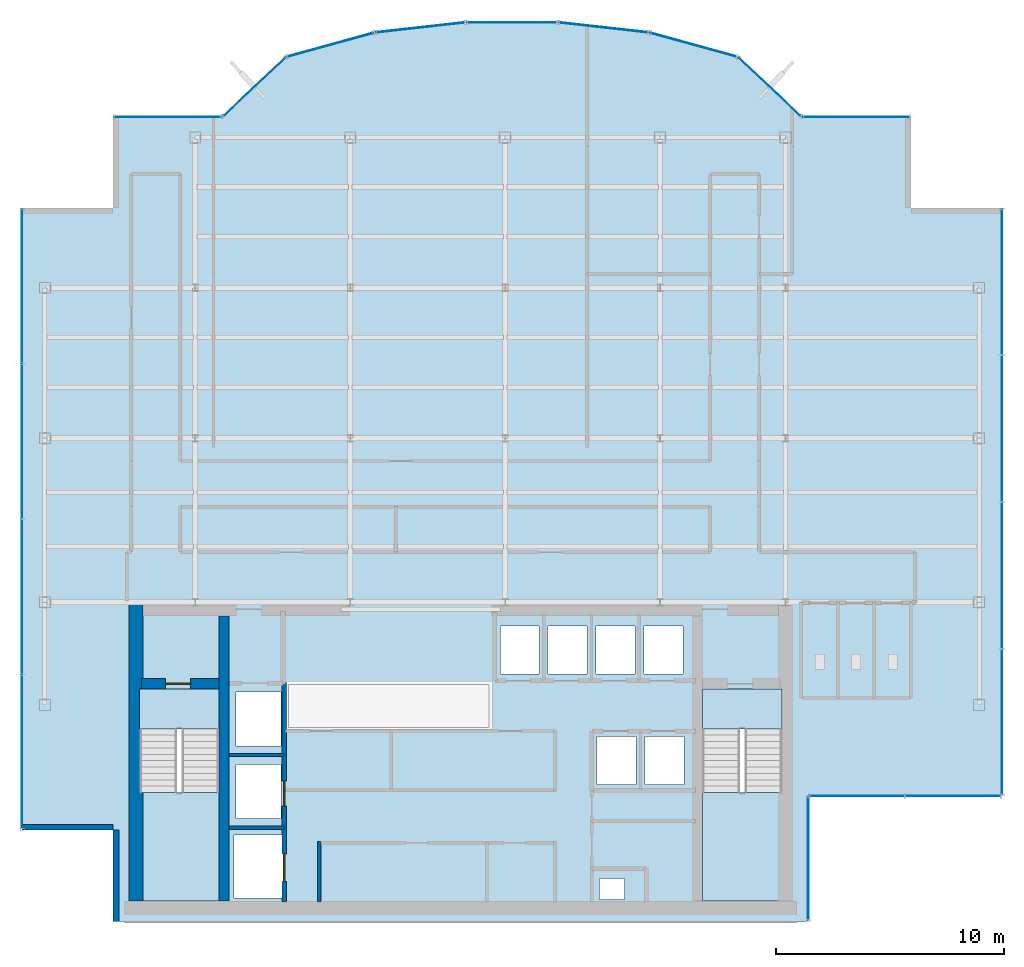
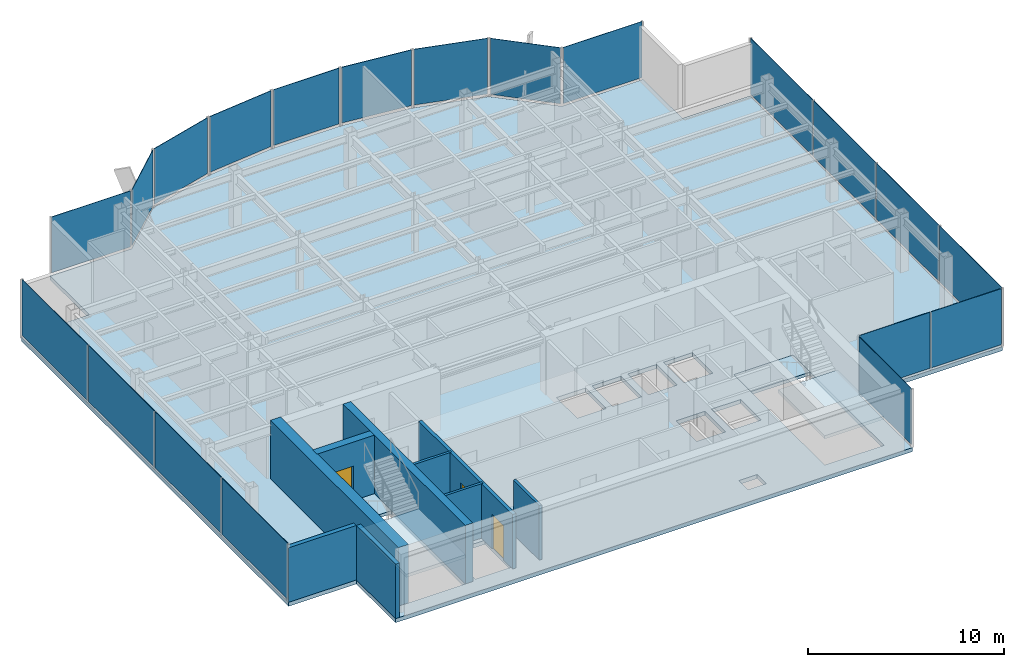
# One storey, part 16 of 22: 20 plates, 9 walls, 5 slabs, 3 doors, 3 openings, 15 elements without a shape of their own.
"""IFC4 building model written with IfcOpenShell, lengths in metres."""

from ifc_helpers import new_model, si_unit, derived_unit, direction, frame, frame_2d, origin, origin_2d, place, context, subcontext, project, spatial, polyline, rectangle, outline, extrude, source, transform, mapped, material, layer, layer_set, type_object, element, fill, aggregate, save


model = new_model("IFC4")

# Units and contexts
model_context = context("Model", 3, precision=1e-05, world=origin(), true_north=direction((0.0, 1.0)))
body_context = subcontext(model_context, "Body", "Model", "MODEL_VIEW")
ifc_project = project(units=[si_unit("LENGTHUNIT", "METRE"), si_unit("AREAUNIT", "SQUARE_METRE"), si_unit("VOLUMEUNIT", "CUBIC_METRE"), si_unit("PLANEANGLEUNIT", "RADIAN"), si_unit("MASSUNIT", "GRAM", prefix="KILO"), derived_unit("THERMALTRANSMITTANCEUNIT", [(si_unit("POWERUNIT", "WATT"), 1), (si_unit("LENGTHUNIT", "METRE"), -2), (si_unit("THERMODYNAMICTEMPERATUREUNIT", "KELVIN"), -1)])], contexts=[model_context])

# Site, building, storey
site_placement = place(None, origin())
site = spatial("IfcSite", under=ifc_project, at=site_placement, CompositionType="ELEMENT")
building_placement = place(site_placement, origin())
building = spatial("IfcBuilding", under=site, at=building_placement, Name="Skarnbrae Concourse Arena and Tower", CompositionType="ELEMENT")
storey_placement = place(building_placement, frame((0.0, 0.0, 262.449951171875)))
storey = spatial("IfcBuildingStorey", under=building, at=storey_placement, Name="L68", CompositionType="ELEMENT", Elevation=262.449951171875)

# Stair, slab
ifc_material_1 = material(Name="Concrete 40 MPa (C40/50)", Category="concrete")
stair_type = type_object("IfcStairType", Name="STAIR-DOGLEG-1650", PredefinedType="HALF_TURN_STAIR", material=ifc_material_1)
stair_1_placement = place(storey_placement, origin())
stair_1 = element("IfcStair", 1, at=stair_1_placement, inside=storey, type_object=stair_type, Name="L68 Protected Exit Stair ST-1", PredefinedType="HALF_TURN_STAIR")
ifc_layer_1 = layer(ifc_material_1, 0.199951171875)
ifc_layer_set_1 = layer_set([ifc_layer_1], Name="Concrete 40 MPa (C40/50)")
slab_type_1 = type_object("IfcSlabType", Name="SLAB-LANDING-200", PredefinedType="LANDING", material=ifc_layer_set_1)
slab_1_placement = place(storey_placement, frame((0.0, 0.0, 1.625)))
slab_1 = element("IfcSlab", 2, at=slab_1_placement, type_object=slab_type_1, Name="ST-1 landing 1", PredefinedType="LANDING", context=body_context, shape_type="SweptSolid", body=[
    extrude(outline(polyline([(5.14990234375, 5.64990234375), (5.14990234375, 0.89990234375), (8.64990234375, 0.89990234375), (8.64990234375, 5.64990234375), (5.14990234375, 5.64990234375)])), origin(), (0.0, 0.0, 1.0), 0.199951171875),
])
aggregate(stair_1, [slab_1])

stair_2_placement = place(storey_placement, origin())
stair_2 = element("IfcStair", 3, at=stair_2_placement, inside=storey, type_object=stair_type, Name="L68 Protected Exit Stair ST-2", PredefinedType="HALF_TURN_STAIR")
slab_2_placement = place(storey_placement, frame((0.0, 0.0, 1.625)))
slab_2 = element("IfcSlab", 4, at=slab_2_placement, type_object=slab_type_1, Name="ST-2 landing 1", PredefinedType="LANDING", context=body_context, shape_type="SweptSolid", body=[
    extrude(outline(polyline([(29.85009765625, 5.64990234375), (29.85009765625, 0.89990234375), (33.35009765625, 0.89990234375), (33.35009765625, 5.64990234375), (29.85009765625, 5.64990234375)])), origin(), (0.0, 0.0, 1.0), 0.199951171875),
])
aggregate(stair_2, [slab_2])

# Slabs
slab_3_placement = place(storey_placement, frame((0.0, 0.0, -0.199951171875)))
element("IfcSlab", 5, at=slab_3_placement, inside=storey, type_object=slab_type_1, Name="L68 Core stair ST1 floor landing", PredefinedType="LANDING", context=body_context, shape_type="SweptSolid", body=[
    extrude(outline(polyline([(5.14990234375, 10.199951171875), (5.14990234375, 8.449951171875), (8.64990234375, 8.449951171875), (8.64990234375, 10.199951171875), (5.14990234375, 10.199951171875)])), origin(), (0.0, 0.0, 1.0), 0.199951171875),
])
slab_4_placement = place(storey_placement, frame((0.0, 0.0, -0.199951171875)))
element("IfcSlab", 6, at=slab_4_placement, inside=storey, type_object=slab_type_1, Name="L68 Core stair ST2 floor landing", PredefinedType="LANDING", context=body_context, shape_type="SweptSolid", body=[
    extrude(outline(polyline([(29.85009765625, 10.199951171875), (29.85009765625, 8.449951171875), (33.35009765625, 8.449951171875), (33.35009765625, 10.199951171875), (29.85009765625, 10.199951171875)])), origin(), (0.0, 0.0, 1.0), 0.199951171875),
])
ifc_layer_2 = layer(ifc_material_1, 0.25)
ifc_layer_set_2 = layer_set([ifc_layer_2], Name="Concrete 40 MPa (C40/50)")
slab_type_2 = type_object("IfcSlabType", Name="SLAB-TOWER-250", PredefinedType="FLOOR", material=ifc_layer_set_2)
slab_5_placement = place(storey_placement, frame((0.0, 0.0, -0.25)))
element("IfcSlab", 7, at=slab_5_placement, inside=storey, type_object=slab_type_2, Name="L68 Structural floor slab", PredefinedType="FLOOR", context=body_context, shape_type="SweptSolid", body=[
    extrude(outline(polyline([(4.0, 0.0), (34.5, 0.0), (34.5, 5.5), (43.0, 5.5), (43.0, 31.300048828125), (39.0, 31.300048828125), (39.0, 35.300048828125), (34.199951171875, 35.300048828125), (31.40966796875, 37.9267578125), (27.52587890625, 38.9970703125), (23.51708984375, 39.44677734375), (19.48291015625, 39.44677734375), (15.47412109375, 38.9970703125), (11.59033203125, 37.9267578125), (8.800048828125, 35.300048828125), (4.0, 35.300048828125), (4.0, 31.300048828125), (0.0, 31.300048828125), (0.0, 4.0), (4.0, 4.0), (4.0, 0.0)]), holes=[polyline([(9.294921875, 1.02001953125), (9.294921875, 3.780029296875), (11.455078125, 3.780029296875), (11.455078125, 1.02001953125), (9.294921875, 1.02001953125)]), polyline([(8.64990234375, 10.199951171875), (8.64990234375, 0.89990234375), (5.14990234375, 0.89990234375), (5.14990234375, 10.199951171875), (8.64990234375, 10.199951171875)]), polyline([(9.39501953125, 6.8798828125), (11.35498046875, 6.8798828125), (11.35498046875, 4.52001953125), (9.39501953125, 4.52001953125), (9.39501953125, 6.8798828125)]), polyline([(9.39501953125, 7.695068359375), (9.39501953125, 10.054931640625), (11.35498046875, 10.054931640625), (11.35498046875, 7.695068359375), (9.39501953125, 7.695068359375)]), polyline([(20.985107421875, 12.955078125), (22.695068359375, 12.955078125), (22.695068359375, 10.844970703125), (20.985107421875, 10.844970703125), (20.985107421875, 12.955078125)]), polyline([(23.0849609375, 12.955078125), (24.794921875, 12.955078125), (24.794921875, 10.844970703125), (23.0849609375, 10.844970703125), (23.0849609375, 12.955078125)]), polyline([(25.35009765625, 0.949951171875), (25.35009765625, 1.889892578125), (26.43994140625, 1.889892578125), (26.43994140625, 0.949951171875), (25.35009765625, 0.949951171875)]), polyline([(33.35009765625, 10.199951171875), (33.35009765625, 0.89990234375), (29.85009765625, 0.89990234375), (29.85009765625, 10.199951171875), (33.35009765625, 10.199951171875)]), polyline([(25.235107421875, 8.10498046875), (26.945068359375, 8.10498046875), (26.945068359375, 5.9951171875), (25.235107421875, 5.9951171875), (25.235107421875, 8.10498046875)]), polyline([(27.3349609375, 5.9951171875), (27.3349609375, 8.10498046875), (29.044921875, 8.10498046875), (29.044921875, 5.9951171875), (27.3349609375, 5.9951171875)]), polyline([(25.18505859375, 12.955078125), (26.89501953125, 12.955078125), (26.89501953125, 10.844970703125), (25.18505859375, 10.844970703125), (25.18505859375, 12.955078125)]), polyline([(27.284912109375, 12.955078125), (28.9951171875, 12.955078125), (28.9951171875, 10.844970703125), (27.284912109375, 10.844970703125), (27.284912109375, 12.955078125)])]), origin(), (0.0, 0.0, 1.0), 0.25),
])

# Curtain wall, plate
ifc_material_2 = material(Name="Bronze anodised aluminium 6063-T6", Category="aluminium")
curtain_wall_type_1 = type_object("IfcCurtainWallType", Name="CW-SYS-05-HIGHZONE", PredefinedType="USERDEFINED", material=ifc_material_2)
curtain_wall_1_placement = place(storey_placement, origin())
curtain_wall_1 = element("IfcCurtainWall", 8, at=curtain_wall_1_placement, inside=storey, type_object=curtain_wall_type_1, Name="L68 Unitised curtain wall CW-L68-E02", ObjectType="UNITISED CURTAIN WALL", PredefinedType="USERDEFINED")
ifc_material_3 = material(Name="Low-E triple insulating glass", Category="glass")
ifc_layer_3 = layer(ifc_material_3, 0.030029296875)
ifc_layer_set_3 = layer_set([ifc_layer_3], Name="Low-E triple insulating glass")
plate_type_1 = type_object("IfcPlateType", Name="CWP-CW-05", PredefinedType="CURTAIN_PANEL", material=ifc_layer_set_3)
shared_shape_1 = source(origin(), body_context, "Body", "SweptSolid", [
    extrude(rectangle(XDim=5.35009765625, YDim=0.030029296875, at=origin_2d()), origin(), (0.0, 0.0, 1.0), 3.5),
])
plate_1_placement = place(storey_placement, frame((34.5, 2.75, 0.150146484375), z_axis=(0.0, 0.0, 1.0), x_axis=(0.0, 1.0, 0.0)))
plate_1 = element("IfcPlate", 9, at=plate_1_placement, type_object=plate_type_1, Name="CW-L68-E02 Low-E Glazing Panel 1", PredefinedType="CURTAIN_PANEL", context=body_context, shape_type="MappedRepresentation", body=[
    mapped(shared_shape_1, transform((0.0, 0.0, 0.0))),
])
aggregate(curtain_wall_1, [plate_1])

# Curtain wall, plates
curtain_wall_2_placement = place(storey_placement, origin())
curtain_wall_2 = element("IfcCurtainWall", 10, at=curtain_wall_2_placement, inside=storey, type_object=curtain_wall_type_1, Name="L68 Unitised curtain wall CW-L68-E03", ObjectType="UNITISED CURTAIN WALL", PredefinedType="USERDEFINED")
shared_shape_2 = source(origin(), body_context, "Body", "SweptSolid", [
    extrude(rectangle(XDim=4.137451171875, YDim=0.030029296875, at=origin_2d()), origin(), (0.0, 0.0, 1.0), 3.5),
])
plate_2_placement = place(storey_placement, frame((36.643798828125, 5.5, 0.150146484375), z_axis=(0.0, 0.0, 1.0), x_axis=(1.0, 0.0, 0.0)))
plate_2 = element("IfcPlate", 11, at=plate_2_placement, type_object=plate_type_1, Name="CW-L68-E03 Low-E Glazing Panel 1", PredefinedType="CURTAIN_PANEL", context=body_context, shape_type="MappedRepresentation", body=[
    mapped(shared_shape_2, transform((0.0, 0.0, 0.0))),
])
plate_3_placement = place(storey_placement, frame((40.856201171875, 5.5, 0.150146484375), z_axis=(0.0, 0.0, 1.0), x_axis=(1.0, 0.0, 0.0)))
plate_3 = element("IfcPlate", 12, at=plate_3_placement, type_object=plate_type_1, Name="CW-L68-E03 Low-E Glazing Panel 2", PredefinedType="CURTAIN_PANEL", context=body_context, shape_type="MappedRepresentation", body=[
    mapped(shared_shape_2, transform((0.0, 0.0, 0.0))),
])
aggregate(curtain_wall_2, [plate_2, plate_3])

# Curtain wall, plate
curtain_wall_3_placement = place(storey_placement, origin())
curtain_wall_3 = element("IfcCurtainWall", 13, at=curtain_wall_3_placement, inside=storey, type_object=curtain_wall_type_1, Name="L68 Unitised curtain wall CW-L68-E07", ObjectType="UNITISED CURTAIN WALL", PredefinedType="USERDEFINED")
shared_shape_3 = source(origin(), body_context, "Body", "SweptSolid", [
    extrude(rectangle(XDim=4.64990234375, YDim=0.030029296875, at=origin_2d()), origin(), (0.0, 0.0, 1.0), 3.5),
])
plate_4_placement = place(storey_placement, frame((36.60009765625, 35.300048828125, 0.150146484375), z_axis=(0.0, 0.0, 1.0), x_axis=(-1.0, 0.0, 0.0)))
plate_4 = element("IfcPlate", 14, at=plate_4_placement, type_object=plate_type_1, Name="CW-L68-E07 Low-E Glazing Panel 1", PredefinedType="CURTAIN_PANEL", context=body_context, shape_type="MappedRepresentation", body=[
    mapped(shared_shape_3, transform((0.0, 0.0, 0.0))),
])
aggregate(curtain_wall_3, [plate_4])

curtain_wall_4_placement = place(storey_placement, origin())
curtain_wall_4 = element("IfcCurtainWall", 15, at=curtain_wall_4_placement, inside=storey, type_object=curtain_wall_type_1, Name="L68 Unitised curtain wall CW-L68-E15", ObjectType="UNITISED CURTAIN WALL", PredefinedType="USERDEFINED")
plate_5_placement = place(storey_placement, frame((6.39990234375, 35.300048828125, 0.150146484375), z_axis=(0.0, 0.0, 1.0), x_axis=(-1.0, 0.0, 0.0)))
plate_5 = element("IfcPlate", 16, at=plate_5_placement, type_object=plate_type_1, Name="CW-L68-E15 Low-E Glazing Panel 1", PredefinedType="CURTAIN_PANEL", context=body_context, shape_type="MappedRepresentation", body=[
    mapped(shared_shape_3, transform((0.0, 0.0, 0.0))),
])
aggregate(curtain_wall_4, [plate_5])

curtain_wall_5_placement = place(storey_placement, origin())
curtain_wall_5 = element("IfcCurtainWall", 17, at=curtain_wall_5_placement, inside=storey, type_object=curtain_wall_type_1, Name="L68 Unitised curtain wall CW-L68-E08", ObjectType="UNITISED CURTAIN WALL", PredefinedType="USERDEFINED")
shared_shape_4 = source(origin(), body_context, "Body", "SweptSolid", [
    extrude(rectangle(XDim=3.68212890625, YDim=0.030029296875, at=origin_2d()), origin(), (0.0, 0.0, 1.0), 3.5),
])
plate_6_placement = place(storey_placement, frame((32.804931640625, 36.61328125, 0.150146484375), z_axis=(0.0, 0.0, 1.0), x_axis=(-0.728130555214, 0.685438468838, 0.0)))
plate_6 = element("IfcPlate", 18, at=plate_6_placement, type_object=plate_type_1, Name="CW-L68-E08 Low-E Glazing Panel 1", PredefinedType="CURTAIN_PANEL", context=body_context, shape_type="MappedRepresentation", body=[
    mapped(shared_shape_4, transform((0.0, 0.0, 0.0))),
])
aggregate(curtain_wall_5, [plate_6])

curtain_wall_6_placement = place(storey_placement, origin())
curtain_wall_6 = element("IfcCurtainWall", 19, at=curtain_wall_6_placement, inside=storey, type_object=curtain_wall_type_1, Name="L68 Unitised curtain wall CW-L68-E14", ObjectType="UNITISED CURTAIN WALL", PredefinedType="USERDEFINED")
plate_7_placement = place(storey_placement, frame((10.195068359375, 36.61328125, 0.150146484375), z_axis=(0.0, 0.0, 1.0), x_axis=(-0.728130555214, -0.685438468838, 0.0)))
plate_7 = element("IfcPlate", 20, at=plate_7_placement, type_object=plate_type_1, Name="CW-L68-E14 Low-E Glazing Panel 1", PredefinedType="CURTAIN_PANEL", context=body_context, shape_type="MappedRepresentation", body=[
    mapped(shared_shape_4, transform((0.0, 0.0, 0.0))),
])
aggregate(curtain_wall_6, [plate_7])

# Curtain wall, plates
curtain_wall_7_placement = place(storey_placement, origin())
curtain_wall_7 = element("IfcCurtainWall", 21, at=curtain_wall_7_placement, inside=storey, type_object=curtain_wall_type_1, Name="L68 Unitised curtain wall CW-L68-E18", ObjectType="UNITISED CURTAIN WALL", PredefinedType="USERDEFINED")
shared_shape_5 = source(origin(), body_context, "Body", "SweptSolid", [
    extrude(rectangle(XDim=6.71240234375, YDim=0.030029296875, at=origin_2d()), origin(), (0.0, 0.0, 1.0), 3.5),
])
plate_8_placement = place(storey_placement, frame((0.0, 27.86865234375, 0.150146484375), z_axis=(0.0, 0.0, 1.0), x_axis=(0.0, -1.0, 0.0)))
plate_8 = element("IfcPlate", 22, at=plate_8_placement, type_object=plate_type_1, Name="CW-L68-E18 Low-E Glazing Panel 1", PredefinedType="CURTAIN_PANEL", context=body_context, shape_type="MappedRepresentation", body=[
    mapped(shared_shape_5, transform((0.0, 0.0, 0.0))),
])
plate_9_placement = place(storey_placement, frame((0.0, 7.431396484375, 0.150146484375), z_axis=(0.0, 0.0, 1.0), x_axis=(0.0, -1.0, 0.0)))
plate_9 = element("IfcPlate", 23, at=plate_9_placement, type_object=plate_type_1, Name="CW-L68-E18 Low-E Glazing Panel 4", PredefinedType="CURTAIN_PANEL", context=body_context, shape_type="MappedRepresentation", body=[
    mapped(shared_shape_5, transform((0.0, 0.0, 0.0))),
])
shared_shape_6 = source(origin(), body_context, "Body", "SweptSolid", [
    extrude(rectangle(XDim=6.75, YDim=0.030029296875, at=origin_2d()), origin(), (0.0, 0.0, 1.0), 3.5),
])
plate_10_placement = place(storey_placement, frame((0.0, 21.0625, 0.150146484375), z_axis=(0.0, 0.0, 1.0), x_axis=(0.0, -1.0, 0.0)))
plate_10 = element("IfcPlate", 24, at=plate_10_placement, type_object=plate_type_1, Name="CW-L68-E18 Low-E Glazing Panel 2", PredefinedType="CURTAIN_PANEL", context=body_context, shape_type="MappedRepresentation", body=[
    mapped(shared_shape_6, transform((0.0, 0.0, 0.0))),
])
plate_11_placement = place(storey_placement, frame((0.0, 14.237548828125, 0.150146484375), z_axis=(0.0, 0.0, 1.0), x_axis=(0.0, -1.0, 0.0)))
plate_11 = element("IfcPlate", 25, at=plate_11_placement, type_object=plate_type_1, Name="CW-L68-E18 Low-E Glazing Panel 3", PredefinedType="CURTAIN_PANEL", context=body_context, shape_type="MappedRepresentation", body=[
    mapped(shared_shape_6, transform((0.0, 0.0, 0.0))),
])
aggregate(curtain_wall_7, [plate_8, plate_10, plate_11, plate_9])

curtain_wall_8_placement = place(storey_placement, origin())
curtain_wall_8 = element("IfcCurtainWall", 26, at=curtain_wall_8_placement, inside=storey, type_object=curtain_wall_type_1, Name="L68 Unitised curtain wall CW-L68-E04", ObjectType="UNITISED CURTAIN WALL", PredefinedType="USERDEFINED")
shared_shape_7 = source(origin(), body_context, "Body", "SweptSolid", [
    extrude(rectangle(XDim=6.33740234375, YDim=0.030029296875, at=origin_2d()), origin(), (0.0, 0.0, 1.0), 3.5),
])
plate_12_placement = place(storey_placement, frame((43.0, 8.743896484375, 0.150146484375), z_axis=(0.0, 0.0, 1.0), x_axis=(0.0, 1.0, 0.0)))
plate_12 = element("IfcPlate", 27, at=plate_12_placement, type_object=plate_type_1, Name="CW-L68-E04 Low-E Glazing Panel 1", PredefinedType="CURTAIN_PANEL", context=body_context, shape_type="MappedRepresentation", body=[
    mapped(shared_shape_7, transform((0.0, 0.0, 0.0))),
])
plate_13_placement = place(storey_placement, frame((43.0, 28.05615234375, 0.150146484375), z_axis=(0.0, 0.0, 1.0), x_axis=(0.0, 1.0, 0.0)))
plate_13 = element("IfcPlate", 28, at=plate_13_placement, type_object=plate_type_1, Name="CW-L68-E04 Low-E Glazing Panel 4", PredefinedType="CURTAIN_PANEL", context=body_context, shape_type="MappedRepresentation", body=[
    mapped(shared_shape_7, transform((0.0, 0.0, 0.0))),
])
shared_shape_8 = source(origin(), body_context, "Body", "SweptSolid", [
    extrude(rectangle(XDim=6.375, YDim=0.030029296875, at=origin_2d()), origin(), (0.0, 0.0, 1.0), 3.5),
])
plate_14_placement = place(storey_placement, frame((43.0, 15.175048828125, 0.150146484375), z_axis=(0.0, 0.0, 1.0), x_axis=(0.0, 1.0, 0.0)))
plate_14 = element("IfcPlate", 29, at=plate_14_placement, type_object=plate_type_1, Name="CW-L68-E04 Low-E Glazing Panel 2", PredefinedType="CURTAIN_PANEL", context=body_context, shape_type="MappedRepresentation", body=[
    mapped(shared_shape_8, transform((0.0, 0.0, 0.0))),
])
plate_15_placement = place(storey_placement, frame((43.0, 21.625, 0.150146484375), z_axis=(0.0, 0.0, 1.0), x_axis=(0.0, 1.0, 0.0)))
plate_15 = element("IfcPlate", 30, at=plate_15_placement, type_object=plate_type_1, Name="CW-L68-E04 Low-E Glazing Panel 3", PredefinedType="CURTAIN_PANEL", context=body_context, shape_type="MappedRepresentation", body=[
    mapped(shared_shape_8, transform((0.0, 0.0, 0.0))),
])
aggregate(curtain_wall_8, [plate_12, plate_14, plate_15, plate_13])

# Curtain wall, plate
curtain_wall_type_2 = type_object("IfcCurtainWallType", Name="CW-SYS-03-PORTAL", PredefinedType="USERDEFINED", material=ifc_material_2)
curtain_wall_9_placement = place(storey_placement, origin())
curtain_wall_9 = element("IfcCurtainWall", 31, at=curtain_wall_9_placement, inside=storey, type_object=curtain_wall_type_2, Name="L68 Unitised curtain wall CW-L68-E09", ObjectType="UNITISED CURTAIN WALL", PredefinedType="USERDEFINED")
ifc_layer_4 = layer(ifc_material_3, 0.033935546875)
ifc_layer_set_4 = layer_set([ifc_layer_4], Name="Low-E triple insulating glass")
plate_type_2 = type_object("IfcPlateType", Name="CWP-CW-03", PredefinedType="CURTAIN_PANEL", material=ifc_layer_set_4)
shared_shape_9 = source(origin(), body_context, "Body", "SweptSolid", [
    extrude(rectangle(XDim=3.86865234375, YDim=0.033935546875, at=origin_2d()), origin(), (0.0, 0.0, 1.0), 3.47998046875),
])
plate_16_placement = place(storey_placement, frame((29.4677734375, 38.4619140625, 0.170166015625), z_axis=(0.0, 0.0, 1.0), x_axis=(-0.964057388766, 0.265694093207, 0.0)))
plate_16 = element("IfcPlate", 32, at=plate_16_placement, type_object=plate_type_2, Name="CW-L68-E09 Low-E Glazing Panel 1", PredefinedType="CURTAIN_PANEL", context=body_context, shape_type="MappedRepresentation", body=[
    mapped(shared_shape_9, transform((0.0, 0.0, 0.0))),
])
aggregate(curtain_wall_9, [plate_16])

curtain_wall_10_placement = place(storey_placement, origin())
curtain_wall_10 = element("IfcCurtainWall", 33, at=curtain_wall_10_placement, inside=storey, type_object=curtain_wall_type_2, Name="L68 Unitised curtain wall CW-L68-E13", ObjectType="UNITISED CURTAIN WALL", PredefinedType="USERDEFINED")
plate_17_placement = place(storey_placement, frame((13.5322265625, 38.4619140625, 0.170166015625), z_axis=(0.0, 0.0, 1.0), x_axis=(-0.964057388766, -0.265694093207, 0.0)))
plate_17 = element("IfcPlate", 34, at=plate_17_placement, type_object=plate_type_2, Name="CW-L68-E13 Low-E Glazing Panel 1", PredefinedType="CURTAIN_PANEL", context=body_context, shape_type="MappedRepresentation", body=[
    mapped(shared_shape_9, transform((0.0, 0.0, 0.0))),
])
aggregate(curtain_wall_10, [plate_17])

curtain_wall_11_placement = place(storey_placement, origin())
curtain_wall_11 = element("IfcCurtainWall", 35, at=curtain_wall_11_placement, inside=storey, type_object=curtain_wall_type_2, Name="L68 Unitised curtain wall CW-L68-E10", ObjectType="UNITISED CURTAIN WALL", PredefinedType="USERDEFINED")
shared_shape_10 = source(origin(), body_context, "Body", "SweptSolid", [
    extrude(rectangle(XDim=3.873779296875, YDim=0.033935546875, at=origin_2d()), origin(), (0.0, 0.0, 1.0), 3.47998046875),
])
plate_18_placement = place(storey_placement, frame((25.521484375, 39.221923828125, 0.170166015625), z_axis=(0.0, 0.0, 1.0), x_axis=(-0.993768891873, 0.111460259941, 0.0)))
plate_18 = element("IfcPlate", 36, at=plate_18_placement, type_object=plate_type_2, Name="CW-L68-E10 Low-E Glazing Panel 1", PredefinedType="CURTAIN_PANEL", context=body_context, shape_type="MappedRepresentation", body=[
    mapped(shared_shape_10, transform((0.0, 0.0, 0.0))),
])
aggregate(curtain_wall_11, [plate_18])

curtain_wall_12_placement = place(storey_placement, origin())
curtain_wall_12 = element("IfcCurtainWall", 37, at=curtain_wall_12_placement, inside=storey, type_object=curtain_wall_type_2, Name="L68 Unitised curtain wall CW-L68-E12", ObjectType="UNITISED CURTAIN WALL", PredefinedType="USERDEFINED")
plate_19_placement = place(storey_placement, frame((17.478515625, 39.221923828125, 0.170166015625), z_axis=(0.0, 0.0, 1.0), x_axis=(-0.993768891873, -0.111460259941, 0.0)))
plate_19 = element("IfcPlate", 38, at=plate_19_placement, type_object=plate_type_2, Name="CW-L68-E12 Low-E Glazing Panel 1", PredefinedType="CURTAIN_PANEL", context=body_context, shape_type="MappedRepresentation", body=[
    mapped(shared_shape_10, transform((0.0, 0.0, 0.0))),
])
aggregate(curtain_wall_12, [plate_19])

curtain_wall_13_placement = place(storey_placement, origin())
curtain_wall_13 = element("IfcCurtainWall", 39, at=curtain_wall_13_placement, inside=storey, type_object=curtain_wall_type_2, Name="L68 Unitised curtain wall CW-L68-E11", ObjectType="UNITISED CURTAIN WALL", PredefinedType="USERDEFINED")
shared_shape_11 = source(origin(), body_context, "Body", "SweptSolid", [
    extrude(rectangle(XDim=3.87451171875, YDim=0.033935546875, at=origin_2d()), origin(), (0.0, 0.0, 1.0), 3.47998046875),
])
plate_20_placement = place(storey_placement, frame((21.5, 39.44677734375, 0.170166015625), z_axis=(0.0, 0.0, 1.0), x_axis=(-1.0, 0.0, 0.0)))
plate_20 = element("IfcPlate", 40, at=plate_20_placement, type_object=plate_type_2, Name="CW-L68-E11 Low-E Glazing Panel 1", PredefinedType="CURTAIN_PANEL", context=body_context, shape_type="MappedRepresentation", body=[
    mapped(shared_shape_11, transform((0.0, 0.0, 0.0))),
])
aggregate(curtain_wall_13, [plate_20])

# Wall, opening, door
ifc_material_4 = material(Name="Concrete 50 MPa (C50/60)", Category="concrete")
ifc_layer_5 = layer(ifc_material_4, 0.449951171875)
ifc_layer_set_5 = layer_set([ifc_layer_5], Name="Concrete 50 MPa (C50/60)")
wall_type_1 = type_object("IfcWallType", Name="WALL-CORE-450-C50", PredefinedType="SHEAR", material=ifc_layer_set_5)
shared_shape_12 = source(origin(), body_context, "Body", "SweptSolid", [
    extrude(rectangle(XDim=3.389892578125, YDim=0.449951171875, at=frame_2d((1.69482421875, 0.0))), origin(), (0.0, 0.0, 1.0), 3.650146484375),
])
wall_1_placement = place(storey_placement, frame((5.25, 10.419921875, 0.0), z_axis=(0.0, 0.0, 1.0), x_axis=(1.0, 0.0, 0.0)))
wall_1 = element("IfcWall", 41, at=wall_1_placement, inside=storey, type_object=wall_type_1, Name="L68 Rear core shear wall CW-ST1-N", PredefinedType="SHEAR", context=body_context, shape_type="MappedRepresentation", body=[
    mapped(shared_shape_12, transform((0.0, 0.0, 0.0))),
])
opening_1_placement = place(wall_1_placement, frame((1.050048828125, 0.0, 0.0)))
opening_1 = element("IfcOpeningElement", 42, at=opening_1_placement, cuts=wall_1, Name="Opening DT-03", PredefinedType="OPENING", context=body_context, shape_type="SweptSolid", body=[
    extrude(rectangle(XDim=1.10009765625, YDim=2.14990234375, at=frame_2d((0.550048828125, 1.074951171875))), frame((0.0, 0.23486328125, 0.0), z_axis=(0.0, -1.0, 0.0), x_axis=(1.0, 0.0, 0.0)), (0.0, 0.0, 1.0), 0.469970703125),
])
ifc_material_5 = material(Name="Steel CSA G40.21 350W", Category="steel")
door_type_1 = type_object("IfcDoorType", Name="DOOR-FIRE-1100-90M", OperationType="NOTDEFINED", PredefinedType="DOOR", material=ifc_material_5)
shared_shape_13 = source(origin(), body_context, "Body", "SweptSolid", [
    extrude(rectangle(XDim=1.10009765625, YDim=2.14990234375, at=frame_2d((0.550048828125, 1.074951171875))), frame((0.0, 0.02490234375, 0.0), z_axis=(0.0, -1.0, 0.0), x_axis=(1.0, 0.0, 0.0)), (0.0, 0.0, 1.0), 0.050048828125),
])
door_1_placement = place(opening_1_placement, frame((1.10009765625, 0.0, 0.0), z_axis=(0.0, 0.0, 1.0), x_axis=(-1.0, 0.0, 0.0)))
door_1 = element("IfcDoor", 43, at=door_1_placement, inside=storey, type_object=door_type_1, Name="D-2048 Stair ST-1 Door", OperationType="SINGLE_SWING_LEFT", OverallHeight=2.14990234375, OverallWidth=1.10009765625, PredefinedType="DOOR", context=body_context, shape_type="MappedRepresentation", body=[
    mapped(shared_shape_13, transform((0.0, 0.0, 0.0))),
])
fill(opening_1, door_1)

# Walls
ifc_layer_6 = layer(ifc_material_4, 0.60009765625)
ifc_layer_set_6 = layer_set([ifc_layer_6], Name="Concrete 50 MPa (C50/60)")
wall_type_2 = type_object("IfcWallType", Name="WALL-CORE-600-C50", PredefinedType="SHEAR", material=ifc_layer_set_6)
shared_shape_14 = source(origin(), body_context, "Body", "SweptSolid", [
    extrude(rectangle(XDim=13.10009765625, YDim=0.60009765625, at=frame_2d((6.550048828125, 0.0))), origin(), (0.0, 0.0, 1.0), 3.650146484375),
])
wall_2_placement = place(storey_placement, frame((5.0, 0.89990234375, 0.0), z_axis=(0.0, 0.0, 1.0), x_axis=(0.0, 1.0, 0.0)))
element("IfcWall", 44, at=wall_2_placement, inside=storey, type_object=wall_type_2, Name="L68 Rear core shear wall CW-W", PredefinedType="SHEAR", context=body_context, shape_type="MappedRepresentation", body=[
    mapped(shared_shape_14, transform((0.0, 0.0, 0.0))),
])
shared_shape_15 = source(origin(), body_context, "Body", "SweptSolid", [
    extrude(rectangle(XDim=12.5, YDim=0.449951171875, at=frame_2d((6.25, 0.0))), origin(), (0.0, 0.0, 1.0), 3.650146484375),
])
wall_3_placement = place(storey_placement, frame((8.864990234375, 0.89990234375, 0.0), z_axis=(0.0, 0.0, 1.0), x_axis=(0.0, 1.0, 0.0)))
element("IfcWall", 45, at=wall_3_placement, inside=storey, type_object=wall_type_1, Name="L68 Rear core shear wall CW-WEB-W", PredefinedType="SHEAR", context=body_context, shape_type="MappedRepresentation", body=[
    mapped(shared_shape_15, transform((0.0, 0.0, 0.0))),
])
ifc_material_6 = material(Name="Precast concrete 40 MPa (C40/50)", Category="concrete")
ifc_layer_7 = layer(ifc_material_6, 0.25)
ifc_layer_set_7 = layer_set([ifc_layer_7], Name="Precast concrete 40 MPa (C40/50)")
wall_type_3 = type_object("IfcWallType", Name="WALL-EXT-SPANDREL-250", PredefinedType="STANDARD", material=ifc_layer_set_7)
shared_shape_16 = source(origin(), body_context, "Body", "SweptSolid", [
    extrude(rectangle(XDim=4.0, YDim=0.25, at=frame_2d((2.0, 0.0))), origin(), (0.0, 0.0, 1.0), 3.400146484375),
])
for number, where, z_axis, x_axis, name in (
    (46, (0.0, 4.125, 0.0), (0.0, 0.0, 1.0), (1.0, 0.0, 0.0), "L68 Notched corner insulated return wall 19"),
    (47, (4.125, 4.0, 0.0), (0.0, 0.0, 1.0), (0.0, -1.0, 0.0), "L68 Notched corner insulated return wall 20"),
):
    element("IfcWall", number, at=place(storey_placement, frame(where, z_axis=z_axis, x_axis=x_axis)), inside=storey, type_object=wall_type_3, Name=name, PredefinedType="STANDARD", context=body_context, shape_type="MappedRepresentation", body=[
        mapped(shared_shape_16, transform((0.0, 0.0, 0.0))),
    ])

# Wall, openings, doors
ifc_material_7 = material(Name="Gypsum board on cold-formed steel studs", Category="steel")
ifc_layer_8 = layer(ifc_material_7, 0.199951171875)
ifc_layer_set_8 = layer_set([ifc_layer_8], Name="Gypsum board on cold-formed steel studs")
wall_type_4 = type_object("IfcWallType", Name="WALL-PART-200-2HR", PredefinedType="PARTITIONING", material=ifc_layer_set_8)
shared_shape_17 = source(origin(), body_context, "Body", "SweptSolid", [
    extrude(rectangle(XDim=9.599853515625, YDim=0.199951171875, at=frame_2d((4.7998046875, 0.0))), origin(), (0.0, 0.0, 1.0), 3.400146484375),
])
wall_4_placement = place(storey_placement, frame((11.5, 0.85009765625, 0.0), z_axis=(0.0, 0.0, 1.0), x_axis=(0.0, 1.0, 0.0)))
wall_4 = element("IfcWall", 48, at=wall_4_placement, inside=storey, type_object=wall_type_4, Name="L68 Interior partition wall W-L68-FL-E", PredefinedType="PARTITIONING", context=body_context, shape_type="MappedRepresentation", body=[
    mapped(shared_shape_17, transform((0.0, 0.0, 0.0))),
])
opening_2_placement = place(wall_4_placement, frame((4.199951171875, 0.0, 0.0)))
opening_2 = element("IfcOpeningElement", 49, at=opening_2_placement, cuts=wall_4, Name="Opening LD-01", PredefinedType="OPENING", context=body_context, shape_type="SweptSolid", body=[
    extrude(rectangle(XDim=1.10009765625, YDim=2.14990234375, at=frame_2d((0.550048828125, 1.074951171875))), frame((0.0, 0.10986328125, 0.0), z_axis=(0.0, -1.0, 0.0), x_axis=(1.0, 0.0, 0.0)), (0.0, 0.0, 1.0), 0.219970703125),
])
opening_3_placement = place(wall_4_placement, frame((0.89990234375, 0.0, 0.0)))
opening_3 = element("IfcOpeningElement", 50, at=opening_3_placement, cuts=wall_4, Name="Opening LD-02", PredefinedType="OPENING", context=body_context, shape_type="SweptSolid", body=[
    extrude(rectangle(XDim=1.199951171875, YDim=2.14990234375, at=frame_2d((0.60009765625, 1.074951171875))), frame((0.0, 0.10986328125, 0.0), z_axis=(0.0, -1.0, 0.0), x_axis=(1.0, 0.0, 0.0)), (0.0, 0.0, 1.0), 0.219970703125),
])
door_type_2 = type_object("IfcDoorType", Name="DOOR-LIFT-SLIDE-1100", OperationType="SLIDING_TO_LEFT", PredefinedType="DOOR", material=ifc_material_5)
door_2_placement = place(opening_2_placement, frame((1.10009765625, 0.0, 0.0), z_axis=(0.0, 0.0, 1.0), x_axis=(-1.0, 0.0, 0.0)))
door_2 = element("IfcDoor", 51, at=door_2_placement, inside=storey, type_object=door_type_2, Name="D-2053 Firefighting Lift Landing Door FL-02", OperationType="SLIDING_TO_LEFT", OverallHeight=2.14990234375, OverallWidth=1.10009765625, PredefinedType="DOOR", context=body_context, shape_type="MappedRepresentation", body=[
    mapped(shared_shape_13, transform((0.0, 0.0, 0.0))),
])
fill(opening_2, door_2)
door_type_3 = type_object("IfcDoorType", Name="DOOR-LIFT-SLIDE-1200", OperationType="SLIDING_TO_LEFT", PredefinedType="DOOR", material=ifc_material_5)
shared_shape_18 = source(origin(), body_context, "Body", "SweptSolid", [
    extrude(rectangle(XDim=1.199951171875, YDim=2.14990234375, at=frame_2d((0.60009765625, 1.074951171875))), frame((0.0, 0.02490234375, 0.0), z_axis=(0.0, -1.0, 0.0), x_axis=(1.0, 0.0, 0.0)), (0.0, 0.0, 1.0), 0.050048828125),
])
door_3_placement = place(opening_3_placement, frame((1.199951171875, 0.0, 0.0), z_axis=(0.0, 0.0, 1.0), x_axis=(-1.0, 0.0, 0.0)))
door_3 = element("IfcDoor", 52, at=door_3_placement, inside=storey, type_object=door_type_3, Name="D-2054 Service Lift Landing Door SV-01", OperationType="SLIDING_TO_LEFT", OverallHeight=2.14990234375, OverallWidth=1.199951171875, PredefinedType="DOOR", context=body_context, shape_type="MappedRepresentation", body=[
    mapped(shared_shape_18, transform((0.0, 0.0, 0.0))),
])
fill(opening_3, door_3)

# Walls
ifc_layer_9 = layer(ifc_material_7, 0.14990234375)
ifc_layer_set_9 = layer_set([ifc_layer_9], Name="Gypsum board on cold-formed steel studs")
wall_type_5 = type_object("IfcWallType", Name="WALL-PART-150", PredefinedType="PARTITIONING", material=ifc_layer_set_9)
shared_shape_19 = source(origin(), body_context, "Body", "SweptSolid", [
    extrude(rectangle(XDim=2.39990234375, YDim=0.14990234375, at=frame_2d((1.199951171875, 0.0))), origin(), (0.0, 0.0, 1.0), 3.400146484375),
])
for number, where, z_axis, x_axis, name in (
    (53, (9.10009765625, 4.10009765625, 0.0), (0.0, 0.0, 1.0), (1.0, 0.0, 0.0), "L68 Interior partition wall W-L68-FL-D1"),
    (54, (9.10009765625, 7.300048828125, 0.0), (0.0, 0.0, 1.0), (1.0, 0.0, 0.0), "L68 Interior partition wall W-L68-FL-D2"),
):
    element("IfcWall", number, at=place(storey_placement, frame(where, z_axis=z_axis, x_axis=x_axis)), inside=storey, type_object=wall_type_5, Name=name, PredefinedType="PARTITIONING", context=body_context, shape_type="MappedRepresentation", body=[
        mapped(shared_shape_19, transform((0.0, 0.0, 0.0))),
    ])
ifc_layer_10 = layer(ifc_material_7, 0.14990234375)
ifc_layer_set_10 = layer_set([ifc_layer_10], Name="Gypsum board on cold-formed steel studs")
wall_type_6 = type_object("IfcWallType", Name="WALL-PART-150-1HR", PredefinedType="PARTITIONING", material=ifc_layer_set_10)
shared_shape_20 = source(origin(), body_context, "Body", "SweptSolid", [
    extrude(rectangle(XDim=2.64990234375, YDim=0.14990234375, at=frame_2d((1.324951171875, 0.0))), origin(), (0.0, 0.0, 1.0), 3.400146484375),
])
wall_5_placement = place(storey_placement, frame((13.050048828125, 0.85009765625, 0.0), z_axis=(0.0, 0.0, 1.0), x_axis=(0.0, 1.0, 0.0)))
element("IfcWall", 55, at=wall_5_placement, inside=storey, type_object=wall_type_6, Name="L68 Interior partition wall W-L68-B1M-W", PredefinedType="PARTITIONING", context=body_context, shape_type="MappedRepresentation", body=[
    mapped(shared_shape_20, transform((0.0, 0.0, 0.0))),
])

save(model, "model.ifc")
